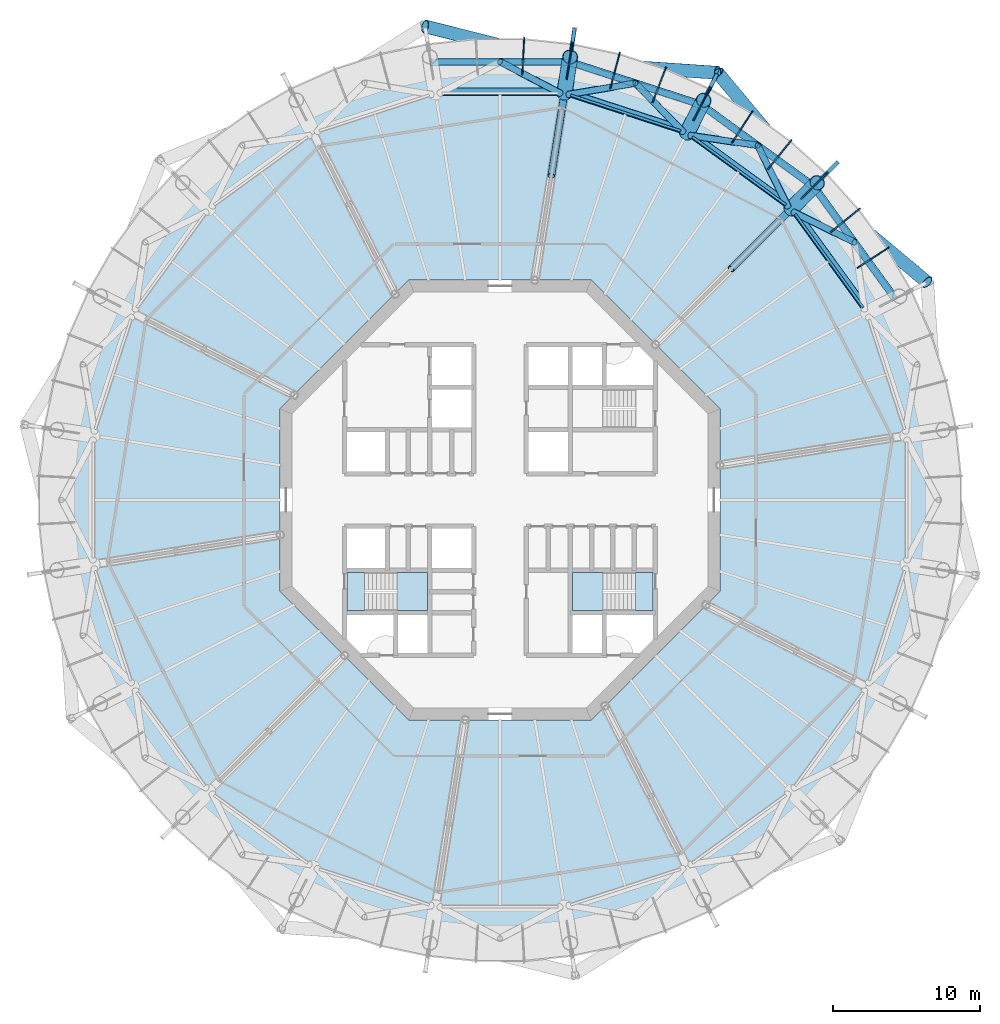
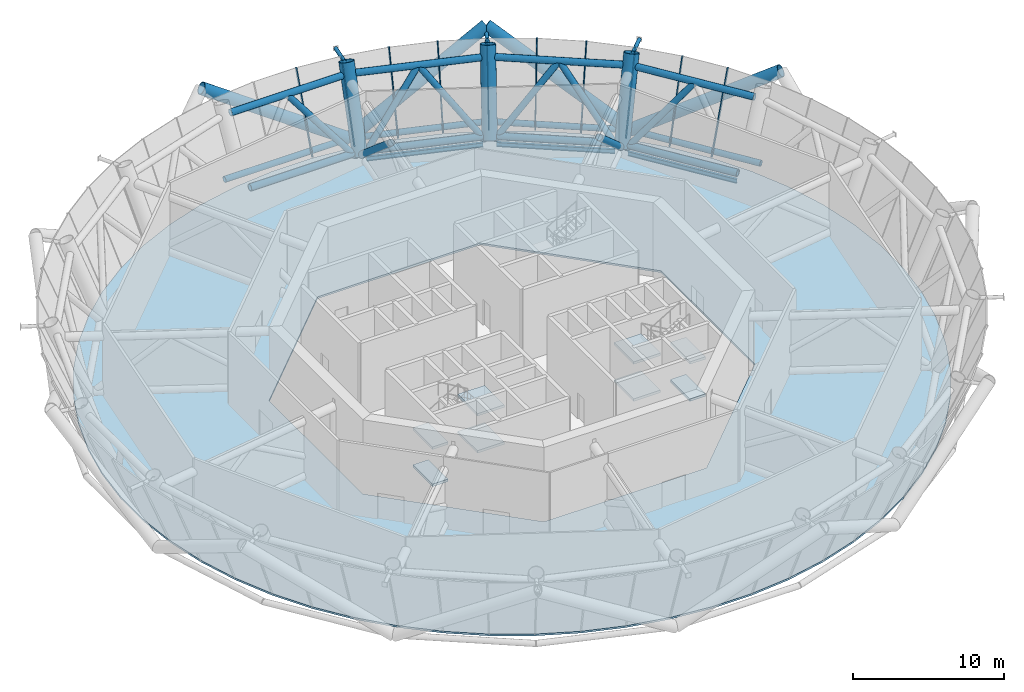
# One storey, part 6 of 20: 40 members, 9 slabs, 3 beams, 6 elements without a shape of their own.
"""IFC4 building model written with IfcOpenShell, lengths in metres."""

from ifc_helpers import new_model, si_unit, direction, frame, origin, origin_2d, place, context, subcontext, project, spatial, polyline, rectangle, circle, hollow_circle, i_section, outline, extrude, material, layer, layer_set, material_profile, profile_set, type_object, element, aggregate, save


model = new_model("IFC4")

# Units and contexts
model_context = context("Model", 3, precision=1e-05, world=origin(), true_north=direction((0.0, 1.0)))
body_context = subcontext(model_context, "Body", "Model", "MODEL_VIEW")
ifc_project = project(units=[si_unit("LENGTHUNIT", "METRE"), si_unit("AREAUNIT", "SQUARE_METRE"), si_unit("VOLUMEUNIT", "CUBIC_METRE"), si_unit("PLANEANGLEUNIT", "RADIAN"), si_unit("MASSUNIT", "GRAM", prefix="KILO")], contexts=[model_context])

# Site, building, storey
site_placement = place(None, origin())
site = spatial("IfcSite", under=ifc_project, at=site_placement, CompositionType="ELEMENT")
building_placement = place(site_placement, origin())
building = spatial("IfcBuilding", under=site, at=building_placement, Name="Entoto Ring Tower", CompositionType="ELEMENT")
storey_placement = place(building_placement, frame((0.0, 0.0, 330.0)))
storey = spatial("IfcBuildingStorey", under=building, at=storey_placement, Name="L76", CompositionType="ELEMENT", Elevation=330.0)

# Members
ifc_material_1 = material(Name="Steel S355", Category="steel")
ifc_material_profile_1 = material_profile(ifc_material_1, hollow_circle(Radius=0.449951171875, WallThickness=0.044921875, at=origin_2d()), Name="CHS 900 x 45")
ifc_material_2 = material(Name="Concrete C60/75", Category="concrete")
ifc_material_profile_2 = material_profile(ifc_material_2, circle(Radius=0.405029296875, at=origin_2d()), Name="Concrete C60/75 infill")
ifc_profile_set_1 = profile_set([ifc_material_profile_1, ifc_material_profile_2], Name="Steel S355")
member_type_1 = type_object("IfcMemberType", Name="Diagrid diagonal 900 x 45 concrete-filled tube", PredefinedType="BRACE", material=ifc_profile_set_1)
for number, where, z_axis, x_axis, name in (
    (1, (111.354736328125, 101.354736328125, 0.0), (0.660190481953, -0.552271543356, 0.509062540301), (0.641631920107, 0.767012698134, 0.0), "DG2 module 25 03"),
    (2, (111.354736328125, 101.354736328125, 0.0), (-0.552271543356, 0.660190481953, 0.509062540301), (-0.767012698134, -0.641631920107, 0.0), "DG2 module 25 04"),
):
    element("IfcMember", number, at=place(storey_placement, frame(where, z_axis=z_axis, x_axis=x_axis)), inside=storey, type_object=member_type_1, Name=name, PredefinedType="BRACE", context=body_context, shape_type="SweptSolid", body=[
        extrude(hollow_circle(Radius=0.449951171875, WallThickness=0.044921875, at=origin_2d()), origin(), (0.0, 0.0, 1.0), 11.786376953125),
    ])
member_1_placement = place(storey_placement, frame((94.724365234375, 109.828125, 0.0), z_axis=(0.858720728799, -0.058724268288, 0.509067942661), x_axis=(0.068226410257, 0.997669863704, 0.0)))
element("IfcMember", 3, at=member_1_placement, inside=storey, type_object=member_type_1, Name="DG2 module 25 05", PredefinedType="BRACE", context=body_context, shape_type="SweptSolid", body=[
    extrude(hollow_circle(Radius=0.449951171875, WallThickness=0.044921875, at=origin_2d()), origin(), (0.0, 0.0, 1.0), 11.7861328125),
])
member_2_placement = place(storey_placement, frame((94.724365234375, 109.828125, 0.0), z_axis=(-0.834845945044, 0.209498607785, 0.509060488919), x_axis=(-0.243396217162, -0.969926946461, 0.0)))
element("IfcMember", 4, at=member_2_placement, inside=storey, type_object=member_type_1, Name="DG2 module 25 06", PredefinedType="BRACE", context=body_context, shape_type="SweptSolid", body=[
    extrude(hollow_circle(Radius=0.449951171875, WallThickness=0.044921875, at=origin_2d()), origin(), (0.0, 0.0, 1.0), 11.786376953125),
])
ifc_material_3 = material(Name="Steel S355", Category="steel")
ifc_material_profile_3 = material_profile(ifc_material_3, hollow_circle(Radius=0.136474609375, WallThickness=0.012451171875, at=origin_2d()), Name="CHS 273 x 12.5")
ifc_material_4 = material(Name="Concrete C60/75", Category="concrete")
ifc_material_profile_4 = material_profile(ifc_material_4, circle(Radius=0.1240234375, at=origin_2d()), Name="Concrete C60/75 infill")
ifc_profile_set_2 = profile_set([ifc_material_profile_3, ifc_material_profile_4], Name="Steel S355")
member_type_2 = type_object("IfcMemberType", Name="Diagrid node strut 273 x 12.5", PredefinedType="STRUT", material=ifc_profile_set_2)
for number, where, z_axis, x_axis, name in (
    (5, (111.91015625, 101.91015625, 5.71337890625), (0.707106781187, 0.707106781187, 0.0), (-0.707106781187, 0.707106781187, 0.0), "DS2 strut ring 25 02"),
    (6, (104.067138671875, 107.6083984375, 5.71337890625), (0.453975618933, 0.891014106181, 0.0), (-0.891014106181, 0.453975618933, 0.0), "DS2 strut ring 25 03"),
    (7, (94.84716796875, 110.604248046875, 5.71337890625), (0.156521685883, 0.987674522223, 0.0), (-0.987674522223, 0.156521685883, 0.0), "DS2 strut ring 25 04"),
):
    element("IfcMember", number, at=place(storey_placement, frame(where, z_axis=z_axis, x_axis=x_axis)), inside=storey, type_object=member_type_2, Name=name, PredefinedType="STRUT", context=body_context, shape_type="SweptSolid", body=[
        extrude(hollow_circle(Radius=0.136474609375, WallThickness=0.012451171875, at=origin_2d()), origin(), (0.0, 0.0, 1.0), 1.614501953125),
    ])
ifc_material_5 = material(Name="Steel S355", Category="steel")
ifc_material_profile_5 = material_profile(ifc_material_5, hollow_circle(Radius=0.228515625, WallThickness=0.02001953125, at=origin_2d()), Name="CHS 457 x 20")
ifc_material_6 = material(Name="Concrete C60/75", Category="concrete")
ifc_material_profile_6 = material_profile(ifc_material_6, circle(Radius=0.20849609375, at=origin_2d()), Name="Concrete C60/75 infill")
ifc_profile_set_3 = profile_set([ifc_material_profile_5, ifc_material_profile_6], Name="Steel S355")
member_type_3 = type_object("IfcMemberType", Name="Diagrid ring beam 457 x 20", PredefinedType="CHORD", material=ifc_profile_set_3)
for number, where, z_axis, x_axis, name in (
    (8, (116.94140625, 93.6650390625, 0.0), (-0.587784468219, 0.809017564037, 0.0), (-0.809017564037, -0.587784468219, 0.0), "DR3 ring 24 02"),
    (9, (111.400146484375, 101.321533203125, 0.0), (-0.809017564037, 0.587784468219, 0.0), (-0.587784468219, -0.809017564037, 0.0), "DR3 ring 24 03"),
    (10, (103.763916015625, 106.89111328125, 0.0), (-0.951061274764, 0.309002348931, 0.0), (-0.309002348931, -0.951061274764, 0.0), "DR3 ring 24 04"),
    (11, (94.780517578125, 109.828125, 0.0), (-1.0, 0.0, 0.0), (0.0, -1.0, 0.0), "DR3 ring 24 05"),
):
    element("IfcMember", number, at=place(storey_placement, frame(where, z_axis=z_axis, x_axis=x_axis)), inside=storey, type_object=member_type_3, Name=name, PredefinedType="CHORD", context=body_context, shape_type="SweptSolid", body=[
        extrude(hollow_circle(Radius=0.228515625, WallThickness=0.02001953125, at=origin_2d()), origin(), (0.0, 0.0, 1.0), 9.56103515625),
    ])

# Beams
ifc_material_7 = material(Name="Steel S355", Category="steel")
ifc_material_profile_7 = material_profile(ifc_material_7, i_section(OverallWidth=0.169921875, OverallDepth=0.360107421875, WebThickness=0.008056640625, FlangeThickness=0.0126953125, FilletRadius=0.01806640625, at=origin_2d()), Name="IPE 360")
ifc_profile_set_4 = profile_set([ifc_material_profile_7], Name="Steel S355")
beam_type = type_object("IfcBeamType", Name="Edge beam IPE 360", PredefinedType="SPANDREL", material=ifc_profile_set_4)
for number, where, z_axis, x_axis, name in (
    (12, (114.7744140625, 93.118896484375, -0.330078125), (-0.587787449408, 0.809015398073, 0.0), (-0.809015398073, -0.587787449408, 0.0), "Edge beam L76 02"),
    (13, (109.5078125, 100.132568359375, -0.330078125), (-0.809015398073, 0.587787449408, 0.0), (-0.587787449408, -0.809015398073, 0.0), "Edge beam L76 03"),
):
    element("IfcBeam", number, at=place(storey_placement, frame(where, z_axis=z_axis, x_axis=x_axis)), inside=storey, type_object=beam_type, Name=name, PredefinedType="SPANDREL", context=body_context, shape_type="SweptSolid", body=[
        extrude(i_section(OverallWidth=0.169921875, OverallDepth=0.360107421875, WebThickness=0.008056640625, FlangeThickness=0.0126953125, FilletRadius=0.01806640625, at=origin_2d()), origin(), (0.0, 0.0, 1.0), 7.897216796875),
    ])
beam_placement = place(storey_placement, frame((102.331787109375, 105.175537109375, -0.330078125), z_axis=(-0.951061101079, 0.309002883506, 0.0), x_axis=(-0.309002883506, -0.951061101079, 0.0)))
element("IfcBeam", 14, at=beam_placement, inside=storey, type_object=beam_type, Name="Edge beam L76 04", PredefinedType="SPANDREL", context=body_context, shape_type="SweptSolid", body=[
    extrude(i_section(OverallWidth=0.169921875, OverallDepth=0.360107421875, WebThickness=0.008056640625, FlangeThickness=0.0126953125, FilletRadius=0.01806640625, at=origin_2d()), origin(), (0.0, 0.0, 1.0), 7.89697265625),
])

# Curtain wall, members
ifc_material_8 = material(Name="Anodised aluminium", Category="aluminium")
ifc_layer_1 = layer(ifc_material_8, 0.10009765625)
ifc_layer_set_1 = layer_set([ifc_layer_1], Name="Anodised aluminium")
curtain_wall_type = type_object("IfcCurtainWallType", Name="Louvre curtain wall system CW7", PredefinedType="NOTDEFINED", material=ifc_layer_set_1)
curtain_wall_1_placement = place(storey_placement, origin())
curtain_wall_1 = element("IfcCurtainWall", 15, at=curtain_wall_1_placement, inside=storey, type_object=curtain_wall_type, Name="CW7 L76-02", PredefinedType="NOTDEFINED")
ifc_material_9 = material(Name="Anodised aluminium", Category="aluminium")
ifc_material_profile_8 = material_profile(ifc_material_9, rectangle(XDim=0.080078125, YDim=0.199951171875, at=origin_2d()), Name="Mullion 80 x 200 mm anodised aluminium")
ifc_profile_set_5 = profile_set([ifc_material_profile_8], Name="Anodised aluminium")
member_type_4 = type_object("IfcMemberType", Name="Mullion 80 x 200 mm anodised aluminium", PredefinedType="MULLION", material=ifc_profile_set_5)
member_3_placement = place(storey_placement, frame((114.42578125, 95.8623046875, 0.03857421875), z_axis=(0.322565689083, 0.209474462982, 0.923077367064), x_axis=(-0.544635112654, 0.838673115143, 0.0)))
member_3 = element("IfcMember", 16, at=member_3_placement, type_object=member_type_4, Name="MULLION L76-04", PredefinedType="MULLION", context=body_context, shape_type="SweptSolid", body=[
    extrude(rectangle(XDim=0.080078125, YDim=0.199951171875, at=origin_2d()), origin(), (0.0, 0.0, 1.0), 6.25390625),
])
member_4_placement = place(storey_placement, frame((112.6337890625, 98.32861328125, 0.03857421875), z_axis=(0.298909386308, 0.242031891748, 0.923078405204), x_axis=(-0.629288738535, 0.777171592091, 0.0)))
member_4 = element("IfcMember", 17, at=member_4_placement, type_object=member_type_4, Name="MULLION L76-05", PredefinedType="MULLION", context=body_context, shape_type="SweptSolid", body=[
    extrude(rectangle(XDim=0.080078125, YDim=0.199951171875, at=origin_2d()), origin(), (0.0, 0.0, 1.0), 6.25390625),
])
aggregate(curtain_wall_1, [member_3, member_4])

curtain_wall_2_placement = place(storey_placement, origin())
curtain_wall_2 = element("IfcCurtainWall", 18, at=curtain_wall_2_placement, inside=storey, type_object=curtain_wall_type, Name="CW7 L76-03", PredefinedType="NOTDEFINED")
member_5_placement = place(storey_placement, frame((110.593994140625, 100.593994140625, 0.03857421875), z_axis=(0.271971811529, 0.271971811529, 0.923072406405), x_axis=(-0.707106781187, 0.707106781187, 0.0)))
member_5 = element("IfcMember", 19, at=member_5_placement, type_object=member_type_4, Name="MULLION L76-06", PredefinedType="MULLION", context=body_context, shape_type="SweptSolid", body=[
    extrude(rectangle(XDim=0.080078125, YDim=0.199951171875, at=origin_2d()), origin(), (0.0, 0.0, 1.0), 6.254150390625),
])
member_6_placement = place(storey_placement, frame((108.32861328125, 102.6337890625, 0.03857421875), z_axis=(0.242031891748, 0.298909386308, 0.923078405204), x_axis=(-0.777171592091, 0.629288738535, 0.0)))
member_6 = element("IfcMember", 20, at=member_6_placement, type_object=member_type_4, Name="MULLION L76-07", PredefinedType="MULLION", context=body_context, shape_type="SweptSolid", body=[
    extrude(rectangle(XDim=0.080078125, YDim=0.199951171875, at=origin_2d()), origin(), (0.0, 0.0, 1.0), 6.25390625),
])
member_7_placement = place(storey_placement, frame((105.8623046875, 104.42578125, 0.03857421875), z_axis=(0.209474462982, 0.322565689083, 0.923077367064), x_axis=(-0.838673115143, 0.544635112654, 0.0)))
member_7 = element("IfcMember", 21, at=member_7_placement, type_object=member_type_4, Name="MULLION L76-08", PredefinedType="MULLION", context=body_context, shape_type="SweptSolid", body=[
    extrude(rectangle(XDim=0.080078125, YDim=0.199951171875, at=origin_2d()), origin(), (0.0, 0.0, 1.0), 6.25390625),
])
aggregate(curtain_wall_2, [member_5, member_6, member_7])

curtain_wall_3_placement = place(storey_placement, origin())
curtain_wall_3 = element("IfcCurtainWall", 22, at=curtain_wall_3_placement, inside=storey, type_object=curtain_wall_type, Name="CW7 L76-04", PredefinedType="NOTDEFINED")
member_8_placement = place(storey_placement, frame((103.22216796875, 105.949951171875, 0.03857421875), z_axis=(0.174613111757, 0.342707021712, 0.923072130698), x_axis=(-0.891011611713, 0.453980514773, 0.0)))
member_8 = element("IfcMember", 23, at=member_8_placement, type_object=member_type_4, Name="MULLION L76-09", PredefinedType="MULLION", context=body_context, shape_type="SweptSolid", body=[
    extrude(rectangle(XDim=0.080078125, YDim=0.199951171875, at=origin_2d()), origin(), (0.0, 0.0, 1.0), 6.254150390625),
])
member_9_placement = place(storey_placement, frame((100.437255859375, 107.18994140625, 0.03857421875), z_axis=(0.137840906866, 0.359065607861, 0.92307733893), x_axis=(-0.933573002991, 0.358387287841, 0.0)))
member_9 = element("IfcMember", 24, at=member_9_placement, type_object=member_type_4, Name="MULLION L76-10", PredefinedType="MULLION", context=body_context, shape_type="SweptSolid", body=[
    extrude(rectangle(XDim=0.080078125, YDim=0.199951171875, at=origin_2d()), origin(), (0.0, 0.0, 1.0), 6.25390625),
])
member_10_placement = place(storey_placement, frame((97.537841796875, 108.132080078125, 0.03857421875), z_axis=(0.099544909119, 0.371517215719, 0.923074086676), x_axis=(-0.965927664957, 0.258812183003, 0.0)))
member_10 = element("IfcMember", 25, at=member_10_placement, type_object=member_type_4, Name="MULLION L76-11", PredefinedType="MULLION", context=body_context, shape_type="SweptSolid", body=[
    extrude(rectangle(XDim=0.080078125, YDim=0.199951171875, at=origin_2d()), origin(), (0.0, 0.0, 1.0), 6.254150390625),
])
aggregate(curtain_wall_3, [member_8, member_9, member_10])

curtain_wall_4_placement = place(storey_placement, origin())
curtain_wall_4 = element("IfcCurtainWall", 26, at=curtain_wall_4_placement, inside=storey, type_object=curtain_wall_type, Name="CW7 L76-05", PredefinedType="NOTDEFINED")
member_11_placement = place(storey_placement, frame((94.55615234375, 108.765869140625, 0.03857421875), z_axis=(0.060156755817, 0.379873712431, 0.923080238838), x_axis=(-0.987692088264, 0.156410801358, 0.0)))
member_11 = element("IfcMember", 27, at=member_11_placement, type_object=member_type_4, Name="MULLION L76-12", PredefinedType="MULLION", context=body_context, shape_type="SweptSolid", body=[
    extrude(rectangle(XDim=0.080078125, YDim=0.199951171875, at=origin_2d()), origin(), (0.0, 0.0, 1.0), 6.25390625),
])
member_12_placement = place(storey_placement, frame((91.524169921875, 109.08447265625, 0.03857421875), z_axis=(0.020143260577, 0.3840882574, 0.923076627145), x_axis=(-0.998627625159, 0.052372380789, 0.0)))
member_12 = element("IfcMember", 28, at=member_12_placement, type_object=member_type_4, Name="MULLION L76-13", PredefinedType="MULLION", context=body_context, shape_type="SweptSolid", body=[
    extrude(rectangle(XDim=0.080078125, YDim=0.199951171875, at=origin_2d()), origin(), (0.0, 0.0, 1.0), 6.254150390625),
])
aggregate(curtain_wall_4, [member_11, member_12])

# Members
ifc_material_10 = material(Name="Steel S355", Category="steel")
ifc_material_profile_9 = material_profile(ifc_material_10, hollow_circle(Radius=0.25390625, WallThickness=0.030029296875, at=origin_2d()), Name="CHS 508 x 30")
ifc_material_11 = material(Name="Concrete C60/75", Category="concrete")
ifc_material_profile_10 = material_profile(ifc_material_11, circle(Radius=0.22412109375, at=origin_2d()), Name="Concrete C60/75 infill")
ifc_profile_set_6 = profile_set([ifc_material_profile_9, ifc_material_profile_10], Name="Steel S355")
member_type_5 = type_object("IfcMemberType", Name="Outrigger diagonal 508 x 30", PredefinedType="BRACE", material=ifc_profile_set_6)
member_13_placement = place(storey_placement, frame((105.7548828125, 95.7548828125, 4.76708984375), z_axis=(0.547630187535, 0.547630187535, -0.632615487797), x_axis=(-0.707106781187, 0.707106781187, 0.0)))
element("IfcMember", 29, at=member_13_placement, inside=storey, type_object=member_type_5, Name="OR2B L76 02 2", PredefinedType="BRACE", context=body_context, shape_type="SweptSolid", body=[
    extrude(hollow_circle(Radius=0.25390625, WallThickness=0.030029296875, at=origin_2d()), origin(), (0.0, 0.0, 1.0), 7.184814453125),
])
member_14_placement = place(storey_placement, frame((93.5, 102.0986328125, 4.76708984375), z_axis=(0.120323704242, 0.759579836959, -0.639187513553), x_axis=(-0.987684708538, 0.156457395223, 0.0)))
element("IfcMember", 30, at=member_14_placement, inside=storey, type_object=member_type_5, Name="OR2B L76 03 2", PredefinedType="BRACE", context=body_context, shape_type="SweptSolid", body=[
    extrude(hollow_circle(Radius=0.25390625, WallThickness=0.030029296875, at=origin_2d()), origin(), (0.0, 0.0, 1.0), 7.11572265625),
])
ifc_material_12 = material(Name="Steel S355", Category="steel")
ifc_material_profile_11 = material_profile(ifc_material_12, hollow_circle(Radius=0.52490234375, WallThickness=0.0400390625, at=origin_2d()), Name="CHS 1050 x 40")
ifc_material_13 = material(Name="Concrete C60/75", Category="concrete")
ifc_material_profile_12 = material_profile(ifc_material_13, circle(Radius=0.485107421875, at=origin_2d()), Name="Concrete C60/75 infill")
ifc_profile_set_7 = profile_set([ifc_material_profile_11, ifc_material_profile_12], Name="Steel S355")
member_type_6 = type_object("IfcMemberType", Name="Ring column jog 1050 x 40 concrete-filled tube", PredefinedType="STRUT", material=ifc_profile_set_7)
for number, where, z_axis, x_axis, name in (
    (31, (109.86962890625, 99.86962890625, 0.0), (0.271971397377, 0.271971397377, 0.923072650455), (-0.707106781187, 0.707106781187, 0.0), "RJ5B R03"),
    (32, (102.757080078125, 105.037353515625, 0.0), (0.174616520339, 0.342697597672, 0.923074984698), (-0.891002976909, 0.453997461601, 0.0), "RJ5B R04"),
    (33, (94.395751953125, 107.754150390625, 0.0), (0.060172056163, 0.379850189746, 0.923088921506), (-0.987684444718, 0.156459060658, 0.0), "RJ5B R05"),
):
    element("IfcMember", number, at=place(storey_placement, frame(where, z_axis=z_axis, x_axis=x_axis)), inside=storey, type_object=member_type_6, Name=name, PredefinedType="STRUT", context=body_context, shape_type="SweptSolid", body=[
        extrude(hollow_circle(Radius=0.52490234375, WallThickness=0.0400390625, at=origin_2d()), origin(), (0.0, 0.0, 1.0), 6.5),
    ])
ifc_material_14 = material(Name="Steel S355", Category="steel")
ifc_material_profile_13 = material_profile(ifc_material_14, hollow_circle(Radius=0.25390625, WallThickness=0.030029296875, at=origin_2d()), Name="CHS 508 x 30")
ifc_material_15 = material(Name="Concrete C60/75", Category="concrete")
ifc_material_profile_14 = material_profile(ifc_material_15, circle(Radius=0.22412109375, at=origin_2d()), Name="Concrete C60/75 infill")
ifc_profile_set_8 = profile_set([ifc_material_profile_13, ifc_material_profile_14], Name="Steel S355")
member_type_7 = type_object("IfcMemberType", Name="Ring truss chord 508 x 30", PredefinedType="CHORD", material=ifc_profile_set_8)
member_15_placement = place(storey_placement, frame((114.870361328125, 93.164794921875, 0.25390625), z_axis=(-0.587787490188, 0.809015368444, 0.0), x_axis=(-0.809015368444, -0.587787490188, 0.0)))
element("IfcMember", 34, at=member_15_placement, inside=storey, type_object=member_type_7, Name="BT1 L76 bottom 02", PredefinedType="CHORD", context=body_context, shape_type="SweptSolid", body=[
    extrude(hollow_circle(Radius=0.25390625, WallThickness=0.030029296875, at=origin_2d()), origin(), (0.0, 0.0, 1.0), 7.935791015625),
])
member_16_placement = place(storey_placement, frame((116.705078125, 94.099609375, 5.196044921875), z_axis=(-0.587784187831, 0.80901776775, 0.0), x_axis=(-0.80901776775, -0.587784187831, 0.0)))
element("IfcMember", 35, at=member_16_placement, inside=storey, type_object=member_type_7, Name="BT1 L76 top 02", PredefinedType="CHORD", context=body_context, shape_type="SweptSolid", body=[
    extrude(hollow_circle(Radius=0.25390625, WallThickness=0.030029296875, at=origin_2d()), origin(), (0.0, 0.0, 1.0), 8.580078125),
])
member_17_placement = place(storey_placement, frame((109.5849609375, 100.205810546875, 0.25390625), z_axis=(-0.809015368444, 0.587787490188, 0.0), x_axis=(-0.587787490188, -0.809015368444, 0.0)))
element("IfcMember", 36, at=member_17_placement, inside=storey, type_object=member_type_7, Name="BT1 L76 bottom 03", PredefinedType="CHORD", context=body_context, shape_type="SweptSolid", body=[
    extrude(hollow_circle(Radius=0.25390625, WallThickness=0.030029296875, at=origin_2d()), origin(), (0.0, 0.0, 1.0), 7.935791015625),
])
member_18_placement = place(storey_placement, frame((111.041015625, 101.661865234375, 5.196044921875), z_axis=(-0.80901776775, 0.587784187831, 0.0), x_axis=(-0.587784187831, -0.80901776775, 0.0)))
element("IfcMember", 37, at=member_18_placement, inside=storey, type_object=member_type_7, Name="BT1 L76 top 03", PredefinedType="CHORD", context=body_context, shape_type="SweptSolid", body=[
    extrude(hollow_circle(Radius=0.25390625, WallThickness=0.030029296875, at=origin_2d()), origin(), (0.0, 0.0, 1.0), 8.580078125),
])
member_19_placement = place(storey_placement, frame((102.38232421875, 105.26904296875, 0.25390625), z_axis=(-0.951058709537, 0.309010244188, 0.0), x_axis=(-0.309010244188, -0.951058709537, 0.0)))
element("IfcMember", 38, at=member_19_placement, inside=storey, type_object=member_type_7, Name="BT1 L76 bottom 04", PredefinedType="CHORD", context=body_context, shape_type="SweptSolid", body=[
    extrude(hollow_circle(Radius=0.25390625, WallThickness=0.030029296875, at=origin_2d()), origin(), (0.0, 0.0, 1.0), 7.935546875),
])
member_20_placement = place(storey_placement, frame((103.3173828125, 107.103759765625, 5.196044921875), z_axis=(-0.951057485731, 0.309014010742, 0.0), x_axis=(-0.309014010742, -0.951057485731, 0.0)))
element("IfcMember", 39, at=member_20_placement, inside=storey, type_object=member_type_7, Name="BT1 L76 top 04", PredefinedType="CHORD", context=body_context, shape_type="SweptSolid", body=[
    extrude(hollow_circle(Radius=0.25390625, WallThickness=0.030029296875, at=origin_2d()), origin(), (0.0, 0.0, 1.0), 8.580078125),
])
member_21_placement = place(storey_placement, frame((93.9677734375, 107.858642578125, 0.25390625), z_axis=(-1.0, 0.0, 0.0), x_axis=(0.0, -1.0, 0.0)))
element("IfcMember", 40, at=member_21_placement, inside=storey, type_object=member_type_7, Name="BT1 L76 bottom 05", PredefinedType="CHORD", context=body_context, shape_type="SweptSolid", body=[
    extrude(hollow_circle(Radius=0.25390625, WallThickness=0.030029296875, at=origin_2d()), origin(), (0.0, 0.0, 1.0), 7.935546875),
])
member_22_placement = place(storey_placement, frame((94.2900390625, 109.892333984375, 5.196044921875), z_axis=(-1.0, 0.0, 0.0), x_axis=(0.0, -1.0, 0.0)))
element("IfcMember", 41, at=member_22_placement, inside=storey, type_object=member_type_7, Name="BT1 L76 top 05", PredefinedType="CHORD", context=body_context, shape_type="SweptSolid", body=[
    extrude(hollow_circle(Radius=0.25390625, WallThickness=0.030029296875, at=origin_2d()), origin(), (0.0, 0.0, 1.0), 8.580078125),
])
ifc_material_16 = material(Name="Steel S355", Category="steel")
ifc_material_profile_15 = material_profile(ifc_material_16, hollow_circle(Radius=0.228515625, WallThickness=0.02001953125, at=origin_2d()), Name="CHS 457 x 20")
ifc_material_17 = material(Name="Concrete C60/75", Category="concrete")
ifc_material_profile_16 = material_profile(ifc_material_17, circle(Radius=0.20849609375, at=origin_2d()), Name="Concrete C60/75 infill")
ifc_profile_set_9 = profile_set([ifc_material_profile_15, ifc_material_profile_16], Name="Steel S355")
member_type_8 = type_object("IfcMemberType", Name="Ring truss diagonal 457 x 20", PredefinedType="BRACE", material=ifc_profile_set_9)
for number, where, z_axis, x_axis, name in (
    (42, (114.183349609375, 97.5703125, 5.196044921875), (-0.59473892954, 0.295012299733, -0.747832433568), (-0.444370901393, -0.895842900287, 0.0), "BT2 L76 02 b"),
    (43, (109.6328125, 100.025390625, -0.0322265625), (-0.295012299733, 0.59473892954, 0.747832433568), (-0.895842900287, -0.444370901393, 0.0), "BT2 L76 03 a"),
    (44, (107.5703125, 104.183349609375, 5.196044921875), (-0.65679300794, 0.096800841026, -0.747831894143), (-0.145808963391, -0.989312764597, 0.0), "BT2 L76 03 b"),
    (45, (102.483642578125, 105.112060546875, -0.0322265625), (-0.464338307806, 0.474500182482, 0.747823182797), (-0.714718554082, -0.699412173508, 0.0), "BT2 L76 04 a"),
    (46, (99.2373046875, 108.429443359375, 5.196044921875), (-0.654555666471, -0.110943414019, -0.747829150526), (0.167110830005, -0.98593811697, 0.0), "BT2 L76 04 b"),
    (47, (94.112548828125, 107.74072265625, -0.0322265625), (-0.588243870997, 0.307758577328, 0.747832739531), (-0.463570595327, -0.886059988459, 0.0), "BT2 L76 05 a"),
):
    element("IfcMember", number, at=place(storey_placement, frame(where, z_axis=z_axis, x_axis=x_axis)), inside=storey, type_object=member_type_8, Name=name, PredefinedType="BRACE", context=body_context, shape_type="SweptSolid", body=[
        extrude(hollow_circle(Radius=0.228515625, WallThickness=0.02001953125, at=origin_2d()), origin(), (0.0, 0.0, 1.0), 6.9912109375),
    ])

# Slab
ifc_material_18 = material(Name="Concrete C30/37", Category="concrete")
ifc_layer_2 = layer(ifc_material_18, 0.14990234375)
ifc_layer_set_2 = layer_set([ifc_layer_2], Name="Concrete C30/37")
slab_type_1 = type_object("IfcSlabType", Name="Composite floor slab 150 mm", PredefinedType="FLOOR", material=ifc_layer_set_2)
slab_1_placement = place(storey_placement, frame((0.0, 0.0, -0.14990234375)))
element("IfcSlab", 48, at=slab_1_placement, inside=storey, type_object=slab_type_1, Name="Floor slab L76", PredefinedType="FLOOR", context=body_context, shape_type="SweptSolid", body=[
    extrude(outline(polyline([(118.74169921875, 84.55224609375), (118.1083984375, 87.53173828125), (117.167236328125, 90.428466796875), (115.92822265625, 93.211181640625), (114.4052734375, 95.848876953125), (112.614990234375, 98.313232421875), (110.576904296875, 100.576904296875), (108.313232421875, 102.614990234375), (105.848876953125, 104.4052734375), (103.211181640625, 105.92822265625), (100.428466796875, 107.167236328125), (97.53173828125, 108.1083984375), (94.55224609375, 108.74169921875), (91.52294921875, 109.06005859375), (88.47705078125, 109.06005859375), (85.44775390625, 108.74169921875), (82.46826171875, 108.1083984375), (79.571533203125, 107.167236328125), (76.788818359375, 105.92822265625), (74.151123046875, 104.4052734375), (71.686767578125, 102.614990234375), (69.423095703125, 100.576904296875), (67.385009765625, 98.313232421875), (65.5947265625, 95.848876953125), (64.07177734375, 93.211181640625), (62.832763671875, 90.428466796875), (61.8916015625, 87.53173828125), (61.25830078125, 84.55224609375), (60.93994140625, 81.52294921875), (60.93994140625, 78.47705078125), (61.25830078125, 75.44775390625), (61.8916015625, 72.46826171875), (62.832763671875, 69.571533203125), (64.07177734375, 66.788818359375), (65.5947265625, 64.151123046875), (67.385009765625, 61.686767578125), (69.423095703125, 59.423095703125), (71.686767578125, 57.385009765625), (74.151123046875, 55.5947265625), (76.788818359375, 54.07177734375), (79.571533203125, 52.832763671875), (82.46826171875, 51.8916015625), (85.44775390625, 51.25830078125), (88.47705078125, 50.93994140625), (91.52294921875, 50.93994140625), (94.55224609375, 51.25830078125), (97.53173828125, 51.8916015625), (100.428466796875, 52.832763671875), (103.211181640625, 54.07177734375), (105.848876953125, 55.5947265625), (108.313232421875, 57.385009765625), (110.576904296875, 59.423095703125), (112.614990234375, 61.686767578125), (114.4052734375, 64.151123046875), (115.92822265625, 66.788818359375), (117.167236328125, 69.571533203125), (118.1083984375, 72.46826171875), (118.74169921875, 75.44775390625), (119.06005859375, 78.47705078125), (119.06005859375, 81.52294921875), (118.74169921875, 84.55224609375)]), holes=[polyline([(105.0, 73.786865234375), (105.0, 86.213134765625), (96.213134765625, 95.0), (83.786865234375, 95.0), (75.0, 86.213134765625), (75.0, 73.786865234375), (83.786865234375, 65.0), (96.213134765625, 65.0), (105.0, 73.786865234375)])]), origin(), (0.0, 0.0, 1.0), 0.14990234375),
])

# Stair, slabs
ifc_material_19 = material(Name="Concrete C40/50", Category="concrete")
stair_type = type_object("IfcStairType", Name="Exit stair 1200 mm dog-leg reinforced concrete", PredefinedType="HALF_TURN_STAIR", material=ifc_material_19)
stair_1_placement = place(storey_placement, origin())
stair_1 = element("IfcStair", 49, at=stair_1_placement, inside=storey, type_object=stair_type, Name="Exit stair 2", PredefinedType="HALF_TURN_STAIR")
ifc_material_20 = material(Name="Concrete C40/50", Category="concrete")
ifc_layer_3 = layer(ifc_material_20, 0.199951171875)
ifc_layer_set_3 = layer_set([ifc_layer_3], Name="Concrete C40/50")
slab_type_2 = type_object("IfcSlabType", Name="Stair landing 200 mm reinforced concrete", PredefinedType="LANDING", material=ifc_layer_set_3)
slab_2_placement = place(storey_placement, frame((0.0, 0.0, -0.199951171875)))
slab_2 = element("IfcSlab", 50, at=slab_2_placement, type_object=slab_type_2, Name="ST2 landing 1", PredefinedType="LANDING", context=body_context, shape_type="SweptSolid", body=[
    extrude(outline(polyline([(80.75, 72.449951171875), (80.75, 75.050048828125), (79.550048828125, 75.050048828125), (79.550048828125, 72.449951171875), (80.75, 72.449951171875)])), origin(), (0.0, 0.0, 1.0), 0.199951171875),
])
slab_3_placement = place(storey_placement, frame((0.0, 0.0, 1.300048828125)))
slab_3 = element("IfcSlab", 51, at=slab_3_placement, type_object=slab_type_2, Name="ST2 landing 2", PredefinedType="LANDING", context=body_context, shape_type="SweptSolid", body=[
    extrude(outline(polyline([(82.989990234375, 72.449951171875), (85.050048828125, 72.449951171875), (85.050048828125, 75.050048828125), (82.989990234375, 75.050048828125), (82.989990234375, 72.449951171875)])), origin(), (0.0, 0.0, 1.0), 0.199951171875),
])
slab_4_placement = place(storey_placement, frame((0.0, 0.0, 2.800048828125)))
slab_4 = element("IfcSlab", 52, at=slab_4_placement, type_object=slab_type_2, Name="ST2 landing 3", PredefinedType="LANDING", context=body_context, shape_type="SweptSolid", body=[
    extrude(outline(polyline([(79.550048828125, 72.449951171875), (80.75, 72.449951171875), (80.75, 75.050048828125), (79.550048828125, 75.050048828125), (79.550048828125, 72.449951171875)])), origin(), (0.0, 0.0, 1.0), 0.199951171875),
])
slab_5_placement = place(storey_placement, frame((0.0, 0.0, 4.300048828125)))
slab_5 = element("IfcSlab", 53, at=slab_5_placement, type_object=slab_type_2, Name="ST2 landing 4", PredefinedType="LANDING", context=body_context, shape_type="SweptSolid", body=[
    extrude(outline(polyline([(82.989990234375, 72.449951171875), (85.050048828125, 72.449951171875), (85.050048828125, 75.050048828125), (82.989990234375, 75.050048828125), (82.989990234375, 72.449951171875)])), origin(), (0.0, 0.0, 1.0), 0.199951171875),
])
aggregate(stair_1, [slab_2, slab_3, slab_4, slab_5])

stair_2_placement = place(storey_placement, origin())
stair_2 = element("IfcStair", 54, at=stair_2_placement, inside=storey, type_object=stair_type, Name="Exit stair 3", PredefinedType="HALF_TURN_STAIR")
slab_6_placement = place(storey_placement, frame((0.0, 0.0, -0.199951171875)))
slab_6 = element("IfcSlab", 55, at=slab_6_placement, type_object=slab_type_2, Name="ST3 landing 1", PredefinedType="LANDING", context=body_context, shape_type="SweptSolid", body=[
    extrude(outline(polyline([(100.449951171875, 72.449951171875), (100.449951171875, 75.050048828125), (99.25, 75.050048828125), (99.25, 72.449951171875), (100.449951171875, 72.449951171875)])), origin(), (0.0, 0.0, 1.0), 0.199951171875),
])
slab_7_placement = place(storey_placement, frame((0.0, 0.0, 1.300048828125)))
slab_7 = element("IfcSlab", 56, at=slab_7_placement, type_object=slab_type_2, Name="ST3 landing 2", PredefinedType="LANDING", context=body_context, shape_type="SweptSolid", body=[
    extrude(outline(polyline([(94.949951171875, 72.449951171875), (97.010009765625, 72.449951171875), (97.010009765625, 75.050048828125), (94.949951171875, 75.050048828125), (94.949951171875, 72.449951171875)])), origin(), (0.0, 0.0, 1.0), 0.199951171875),
])
slab_8_placement = place(storey_placement, frame((0.0, 0.0, 2.800048828125)))
slab_8 = element("IfcSlab", 57, at=slab_8_placement, type_object=slab_type_2, Name="ST3 landing 3", PredefinedType="LANDING", context=body_context, shape_type="SweptSolid", body=[
    extrude(outline(polyline([(99.25, 72.449951171875), (100.449951171875, 72.449951171875), (100.449951171875, 75.050048828125), (99.25, 75.050048828125), (99.25, 72.449951171875)])), origin(), (0.0, 0.0, 1.0), 0.199951171875),
])
slab_9_placement = place(storey_placement, frame((0.0, 0.0, 4.300048828125)))
slab_9 = element("IfcSlab", 58, at=slab_9_placement, type_object=slab_type_2, Name="ST3 landing 4", PredefinedType="LANDING", context=body_context, shape_type="SweptSolid", body=[
    extrude(outline(polyline([(94.949951171875, 72.449951171875), (97.010009765625, 72.449951171875), (97.010009765625, 75.050048828125), (94.949951171875, 75.050048828125), (94.949951171875, 72.449951171875)])), origin(), (0.0, 0.0, 1.0), 0.199951171875),
])
aggregate(stair_2, [slab_6, slab_7, slab_8, slab_9])

save(model, "model.ifc")
